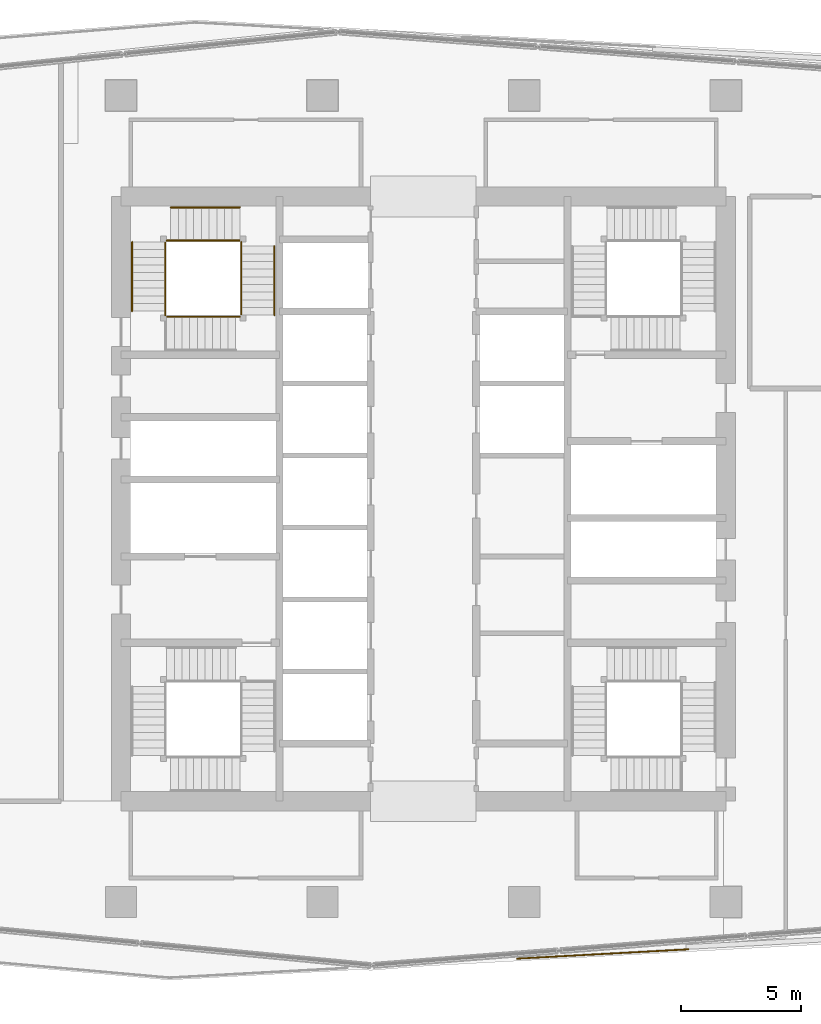
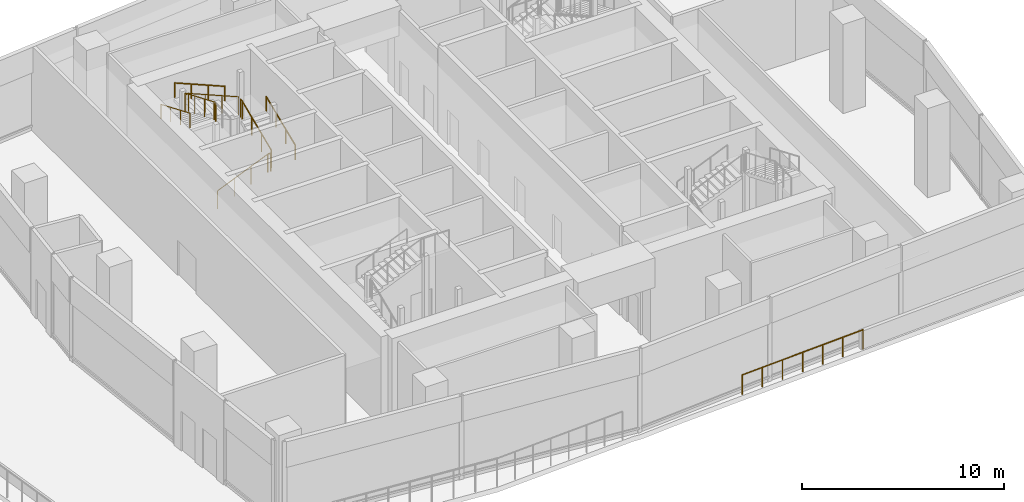
# One storey, part 18 of 22: 12 railings.
"""IFC4 building model written with IfcOpenShell, lengths in metres."""

from ifc_helpers import new_model, si_unit, direction, frame, origin, origin_2d, place, context, subcontext, project, spatial, circle, extrude, material, type_object, element, save


model = new_model("IFC4")

# Units and contexts
model_context = context("Model", 3, precision=1e-05, world=origin(), true_north=direction((0.0, 1.0)))
body_context = subcontext(model_context, "Body", "Model", "MODEL_VIEW")
ifc_project = project(units=[si_unit("LENGTHUNIT", "METRE"), si_unit("AREAUNIT", "SQUARE_METRE"), si_unit("VOLUMEUNIT", "CUBIC_METRE"), si_unit("PLANEANGLEUNIT", "RADIAN"), si_unit("MASSUNIT", "GRAM", prefix="KILO")], contexts=[model_context])

# Site, building, storey
site_placement = place(None, origin())
site = spatial("IfcSite", under=ifc_project, at=site_placement, CompositionType="ELEMENT")
building_placement = place(site_placement, origin())
building = spatial("IfcBuilding", under=site, at=building_placement, Name="Rekha Terrace Tower", CompositionType="ELEMENT")
storey_placement = place(building_placement, frame((0.0, 0.0, 291.35009765625)))
storey = spatial("IfcBuildingStorey", under=building, at=storey_placement, Name="L74", CompositionType="ELEMENT", Elevation=291.35009765625)

# Railings
ifc_material_1 = material(Name="Stainless steel balustrade", Category="steel")
railing_type_1 = type_object("IfcRailingType", Name="GR1 1100 stair guard", PredefinedType="GUARDRAIL", material=ifc_material_1)
railing_1_placement = place(storey_placement, frame((27.10009765625, 41.18994140625, 0.135009765625)))
element("IfcRailing", 1, at=railing_1_placement, inside=storey, type_object=railing_type_1, Name="Guard ST4 L74 flight 1", PredefinedType="GUARDRAIL", context=body_context, shape_type="SweptSolid", body=[
    extrude(circle(Radius=0.02392578125, at=origin_2d()), frame((0.0, 0.0, 1.076171875), z_axis=(0.921376398962, 0.0, 0.388671495527), x_axis=(0.0, 1.0, 0.0)), (0.0, 0.0, 1.0), 3.125732421875),
    extrude(circle(Radius=0.02099609375, at=origin_2d()), origin(), (0.0, 0.0, 1.0), 1.052001953125),
    extrude(circle(Radius=0.02099609375, at=origin_2d()), frame((0.9599609375, 0.0, 0.405029296875)), (0.0, 0.0, 1.0), 1.052001953125),
    extrude(circle(Radius=0.02099609375, at=origin_2d()), frame((1.919921875, 0.0, 0.809814453125)), (0.0, 0.0, 1.0), 1.052001953125),
    extrude(circle(Radius=0.02099609375, at=origin_2d()), frame((2.8798828125, 0.0, 1.21484375)), (0.0, 0.0, 1.0), 1.052001953125),
])
railing_2_placement = place(storey_placement, frame((30.2099609375, 41.25, 1.48486328125)))
element("IfcRailing", 2, at=railing_2_placement, inside=storey, type_object=railing_type_1, Name="Guard ST4 L74 flight 2", PredefinedType="GUARDRAIL", context=body_context, shape_type="SweptSolid", body=[
    extrude(circle(Radius=0.02392578125, at=origin_2d()), frame((0.0, 0.0, 1.076171875), z_axis=(0.0, 0.921348425517, 0.388737802119), x_axis=(-1.0, 0.0, 0.0)), (0.0, 0.0, 1.0), 3.125732421875),
    extrude(circle(Radius=0.02099609375, at=origin_2d()), origin(), (0.0, 0.0, 1.0), 1.052001953125),
    extrude(circle(Radius=0.02099609375, at=origin_2d()), frame((0.0, 0.9599609375, 0.405029296875)), (0.0, 0.0, 1.0), 1.052001953125),
    extrude(circle(Radius=0.02099609375, at=origin_2d()), frame((0.0, 1.919921875, 0.81005859375)), (0.0, 0.0, 1.0), 1.052001953125),
    extrude(circle(Radius=0.02099609375, at=origin_2d()), frame((0.0, 2.8798828125, 1.215087890625)), (0.0, 0.0, 1.0), 1.052001953125),
])
railing_3_placement = place(storey_placement, frame((30.14990234375, 44.360107421875, 2.8349609375)))
element("IfcRailing", 3, at=railing_3_placement, inside=storey, type_object=railing_type_1, Name="Guard ST4 L74 flight 3", PredefinedType="GUARDRAIL", context=body_context, shape_type="SweptSolid", body=[
    extrude(circle(Radius=0.02392578125, at=origin_2d()), frame((0.0, 0.0, 1.076171875), z_axis=(-0.921376398962, 0.0, 0.388671495527), x_axis=(0.0, -1.0, 0.0)), (0.0, 0.0, 1.0), 3.125732421875),
    extrude(circle(Radius=0.02099609375, at=origin_2d()), origin(), (0.0, 0.0, 1.0), 1.052001953125),
    extrude(circle(Radius=0.02099609375, at=origin_2d()), frame((-0.9599609375, 0.0, 0.405029296875)), (0.0, 0.0, 1.0), 1.052001953125),
    extrude(circle(Radius=0.02099609375, at=origin_2d()), frame((-1.919921875, 0.0, 0.809814453125)), (0.0, 0.0, 1.0), 1.052001953125),
    extrude(circle(Radius=0.02099609375, at=origin_2d()), frame((-2.8798828125, 0.0, 1.21484375)), (0.0, 0.0, 1.0), 1.052001953125),
])
railing_4_placement = place(storey_placement, frame((27.0400390625, 44.300048828125, 4.184814453125)))
element("IfcRailing", 4, at=railing_4_placement, inside=storey, type_object=railing_type_1, Name="Guard ST4 L74 flight 4", PredefinedType="GUARDRAIL", context=body_context, shape_type="SweptSolid", body=[
    extrude(circle(Radius=0.02392578125, at=origin_2d()), frame((0.0, 0.0, 1.076171875), z_axis=(0.0, -0.921360227523, 0.388709828972), x_axis=(1.0, 0.0, 0.0)), (0.0, 0.0, 1.0), 3.1259765625),
    extrude(circle(Radius=0.02099609375, at=origin_2d()), origin(), (0.0, 0.0, 1.0), 1.052001953125),
    extrude(circle(Radius=0.02099609375, at=origin_2d()), frame((0.0, -0.9599609375, 0.405029296875)), (0.0, 0.0, 1.0), 1.052001953125),
    extrude(circle(Radius=0.02099609375, at=origin_2d()), frame((0.0, -1.920166015625, 0.81005859375)), (0.0, 0.0, 1.0), 1.052001953125),
    extrude(circle(Radius=0.02099609375, at=origin_2d()), frame((0.0, -2.880126953125, 1.215087890625)), (0.0, 0.0, 1.0), 1.052001953125),
])
railing_5_placement = place(storey_placement, frame((29.97998046875, 41.18994140625, 1.349853515625)))
element("IfcRailing", 5, at=railing_5_placement, inside=storey, type_object=railing_type_1, Name="Guard ST4 L74 landing 1", PredefinedType="GUARDRAIL", context=body_context, shape_type="SweptSolid", body=[
    extrude(circle(Radius=0.02392578125, at=origin_2d()), frame((0.0, 0.0, 1.076171875), z_axis=(1.0, 0.0, 0.0), x_axis=(0.0, 1.0, 0.0)), (0.0, 0.0, 1.0), 0.169921875),
    extrude(circle(Radius=0.02099609375, at=origin_2d()), origin(), (0.0, 0.0, 1.0), 1.052001953125),
    extrude(circle(Radius=0.02099609375, at=origin_2d()), frame((0.169921875, 0.0, 0.0)), (0.0, 0.0, 1.0), 1.052001953125),
])
railing_6_placement = place(storey_placement, frame((30.2099609375, 44.1298828125, 2.699951171875)))
element("IfcRailing", 6, at=railing_6_placement, inside=storey, type_object=railing_type_1, Name="Guard ST4 L74 landing 2", PredefinedType="GUARDRAIL", context=body_context, shape_type="SweptSolid", body=[
    extrude(circle(Radius=0.02392578125, at=origin_2d()), frame((0.0, 0.0, 1.076171875), z_axis=(0.0, 1.0, 0.0), x_axis=(-1.0, 0.0, 0.0)), (0.0, 0.0, 1.0), 0.170166015625),
    extrude(circle(Radius=0.02099609375, at=origin_2d()), origin(), (0.0, 0.0, 1.0), 1.052001953125),
    extrude(circle(Radius=0.02099609375, at=origin_2d()), frame((0.0, 0.170166015625, 0.0)), (0.0, 0.0, 1.0), 1.052001953125),
])
railing_7_placement = place(storey_placement, frame((27.10009765625, 44.360107421875, 4.0498046875)))
element("IfcRailing", 7, at=railing_7_placement, inside=storey, type_object=railing_type_1, Name="Guard ST4 L74 landing 3", PredefinedType="GUARDRAIL", context=body_context, shape_type="SweptSolid", body=[
    extrude(circle(Radius=0.02392578125, at=origin_2d()), frame((0.0, 0.0, 1.076171875), z_axis=(1.0, 0.0, 0.0), x_axis=(0.0, 1.0, 0.0)), (0.0, 0.0, 1.0), 0.169921875),
    extrude(circle(Radius=0.02099609375, at=origin_2d()), origin(), (0.0, 0.0, 1.0), 1.052001953125),
    extrude(circle(Radius=0.02099609375, at=origin_2d()), frame((0.169921875, 0.0, 0.0)), (0.0, 0.0, 1.0), 1.052001953125),
])
railing_8_placement = place(storey_placement, frame((27.0400390625, 41.25, 5.39990234375)))
element("IfcRailing", 8, at=railing_8_placement, inside=storey, type_object=railing_type_1, Name="Guard ST4 L74 landing 4", PredefinedType="GUARDRAIL", context=body_context, shape_type="SweptSolid", body=[
    extrude(circle(Radius=0.02392578125, at=origin_2d()), frame((0.0, 0.0, 1.076171875), z_axis=(0.0, 1.0, 0.0), x_axis=(-1.0, 0.0, 0.0)), (0.0, 0.0, 1.0), 0.169921875),
    extrude(circle(Radius=0.02099609375, at=origin_2d()), origin(), (0.0, 0.0, 1.0), 1.052001953125),
    extrude(circle(Radius=0.02099609375, at=origin_2d()), frame((0.0, 0.169921875, 0.0)), (0.0, 0.0, 1.0), 1.052001953125),
])
ifc_material_2 = material(Name="Steel guard with vertical balusters", Category="steel")
railing_type_2 = type_object("IfcRailingType", Name="GR2 refuge area guard 1200", PredefinedType="GUARDRAIL", material=ifc_material_2)
railing_9_placement = place(storey_placement, frame((41.703369140625, 14.43994140625, 0.0)))
element("IfcRailing", 9, at=railing_9_placement, inside=storey, type_object=railing_type_2, Name="Ledge corner guard", PredefinedType="GUARDRAIL", context=body_context, shape_type="SweptSolid", body=[
    extrude(circle(Radius=0.02392578125, at=origin_2d()), frame((0.0, 0.0, 1.17578125), z_axis=(0.99851935234, 0.054397637847, 0.0), x_axis=(-0.054397637847, 0.99851935234, 0.0)), (0.0, 0.0, 1.0), 7.1494140625),
    extrude(circle(Radius=0.02099609375, at=origin_2d()), origin(), (0.0, 0.0, 1.0), 1.15185546875),
    extrude(circle(Radius=0.02099609375, at=origin_2d()), frame((1.18994140625, 0.06494140625, 0.0)), (0.0, 0.0, 1.0), 1.15185546875),
    extrude(circle(Radius=0.02099609375, at=origin_2d()), frame((2.379638671875, 0.129638671875, 0.0)), (0.0, 0.0, 1.0), 1.15185546875),
    extrude(circle(Radius=0.02099609375, at=origin_2d()), frame((3.5693359375, 0.1943359375, 0.0)), (0.0, 0.0, 1.0), 1.15185546875),
    extrude(circle(Radius=0.02099609375, at=origin_2d()), frame((4.75927734375, 0.25927734375, 0.0)), (0.0, 0.0, 1.0), 1.15185546875),
    extrude(circle(Radius=0.02099609375, at=origin_2d()), frame((5.94921875, 0.32421875, 0.0)), (0.0, 0.0, 1.0), 1.15185546875),
    extrude(circle(Radius=0.02099609375, at=origin_2d()), frame((7.138916015625, 0.388916015625, 0.0)), (0.0, 0.0, 1.0), 1.15185546875),
])
ifc_material_3 = material(Name="Stainless steel tube", Category="steel")
railing_type_3 = type_object("IfcRailingType", Name="HR1 900 stair handrail", PredefinedType="HANDRAIL", material=ifc_material_3)
railing_10_placement = place(storey_placement, frame((31.590087890625, 41.25, 1.48486328125)))
element("IfcRailing", 10, at=railing_10_placement, inside=storey, type_object=railing_type_3, Name="Handrail ST4 L74 flight 2", PredefinedType="HANDRAIL", context=body_context, shape_type="SweptSolid", body=[
    extrude(circle(Radius=0.02392578125, at=origin_2d()), frame((0.0, 0.0, 0.8759765625), z_axis=(0.0, 0.921348425517, 0.388737802119), x_axis=(-1.0, 0.0, 0.0)), (0.0, 0.0, 1.0), 3.125732421875),
    extrude(circle(Radius=0.02099609375, at=origin_2d()), origin(), (0.0, 0.0, 1.0), 0.851806640625),
    extrude(circle(Radius=0.02099609375, at=origin_2d()), frame((0.0, 0.9599609375, 0.405029296875)), (0.0, 0.0, 1.0), 0.851806640625),
    extrude(circle(Radius=0.02099609375, at=origin_2d()), frame((0.0, 1.919921875, 0.81005859375)), (0.0, 0.0, 1.0), 0.851806640625),
    extrude(circle(Radius=0.02099609375, at=origin_2d()), frame((0.0, 2.8798828125, 1.215087890625)), (0.0, 0.0, 1.0), 0.851806640625),
])
railing_11_placement = place(storey_placement, frame((30.14990234375, 45.739990234375, 2.8349609375)))
element("IfcRailing", 11, at=railing_11_placement, inside=storey, type_object=railing_type_3, Name="Handrail ST4 L74 flight 3", PredefinedType="HANDRAIL", context=body_context, shape_type="SweptSolid", body=[
    extrude(circle(Radius=0.02392578125, at=origin_2d()), frame((0.0, 0.0, 0.8759765625), z_axis=(-0.921376398962, 0.0, 0.388671495527), x_axis=(0.0, -1.0, 0.0)), (0.0, 0.0, 1.0), 3.125732421875),
    extrude(circle(Radius=0.02099609375, at=origin_2d()), origin(), (0.0, 0.0, 1.0), 0.851806640625),
    extrude(circle(Radius=0.02099609375, at=origin_2d()), frame((-0.9599609375, 0.0, 0.405029296875)), (0.0, 0.0, 1.0), 0.851806640625),
    extrude(circle(Radius=0.02099609375, at=origin_2d()), frame((-1.919921875, 0.0, 0.809814453125)), (0.0, 0.0, 1.0), 0.851806640625),
    extrude(circle(Radius=0.02099609375, at=origin_2d()), frame((-2.8798828125, 0.0, 1.21484375)), (0.0, 0.0, 1.0), 0.851806640625),
])
railing_12_placement = place(storey_placement, frame((25.659912109375, 44.300048828125, 4.184814453125)))
element("IfcRailing", 12, at=railing_12_placement, inside=storey, type_object=railing_type_3, Name="Handrail ST4 L74 flight 4", PredefinedType="HANDRAIL", context=body_context, shape_type="SweptSolid", body=[
    extrude(circle(Radius=0.02392578125, at=origin_2d()), frame((0.0, 0.0, 0.8759765625), z_axis=(0.0, -0.921360227523, 0.388709828972), x_axis=(1.0, 0.0, 0.0)), (0.0, 0.0, 1.0), 3.1259765625),
    extrude(circle(Radius=0.02099609375, at=origin_2d()), origin(), (0.0, 0.0, 1.0), 0.851806640625),
    extrude(circle(Radius=0.02099609375, at=origin_2d()), frame((0.0, -0.9599609375, 0.405029296875)), (0.0, 0.0, 1.0), 0.851806640625),
    extrude(circle(Radius=0.02099609375, at=origin_2d()), frame((0.0, -1.920166015625, 0.81005859375)), (0.0, 0.0, 1.0), 0.851806640625),
    extrude(circle(Radius=0.02099609375, at=origin_2d()), frame((0.0, -2.880126953125, 1.215087890625)), (0.0, 0.0, 1.0), 0.851806640625),
])

save(model, "model.ifc")
